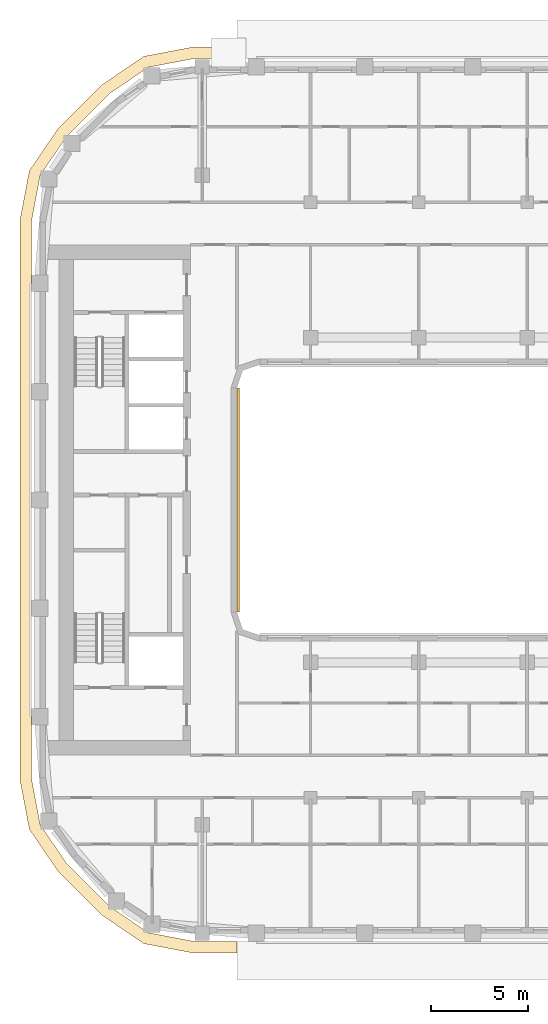
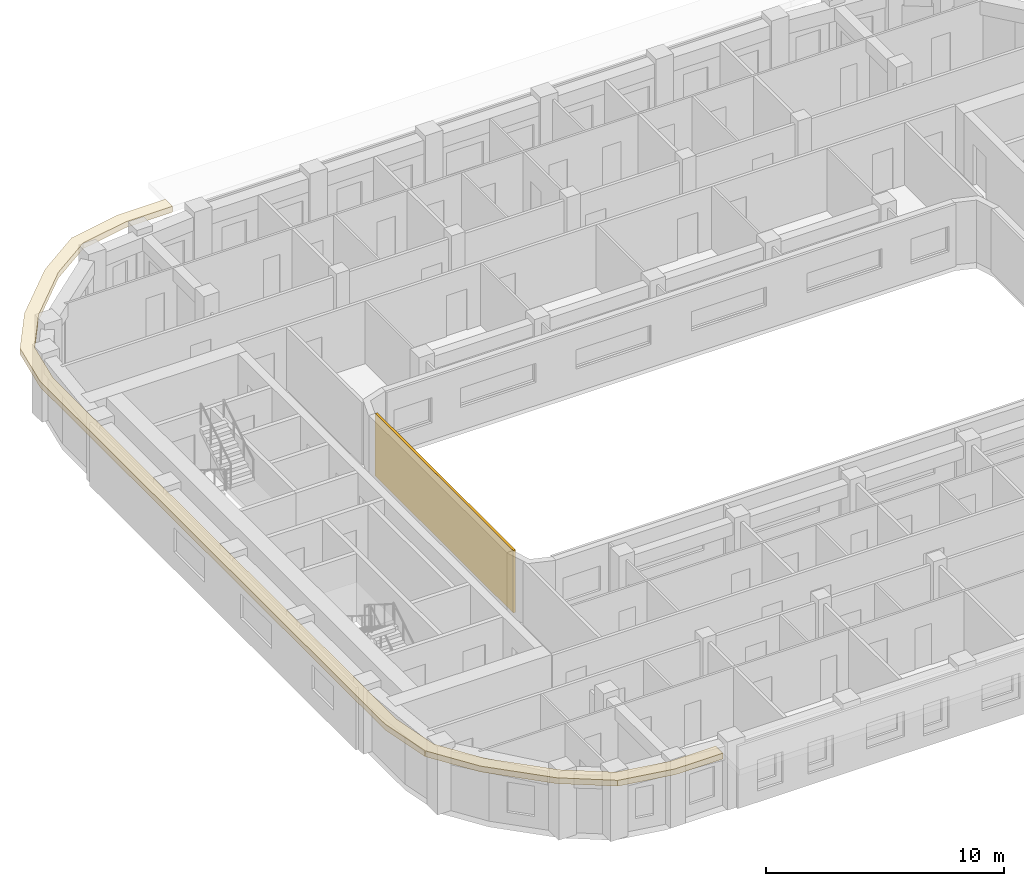
# One storey, part 13 of 21: 2 coverings.
"""IFC4 building model written with IfcOpenShell, lengths in metres."""

from ifc_helpers import new_model, si_unit, direction, frame, origin, place, context, subcontext, project, spatial, polyline, outline, extrude, material, layer, layer_set, type_object, element, save


model = new_model("IFC4")

# Units and contexts
model_context = context("Model", 3, precision=1e-05, world=origin(), true_north=direction((0.0, 1.0)))
body_context = subcontext(model_context, "Body", "Model", "MODEL_VIEW")
ifc_project = project(units=[si_unit("LENGTHUNIT", "METRE"), si_unit("AREAUNIT", "SQUARE_METRE"), si_unit("VOLUMEUNIT", "CUBIC_METRE"), si_unit("PLANEANGLEUNIT", "RADIAN"), si_unit("MASSUNIT", "GRAM", prefix="KILO")], contexts=[model_context])

# Site, building, storey
site_placement = place(None, origin())
site = spatial("IfcSite", under=ifc_project, at=site_placement, CompositionType="ELEMENT")
building_placement = place(site_placement, origin())
building = spatial("IfcBuilding", under=site, at=building_placement, Name="Kiln Ring Residences", CompositionType="ELEMENT")
storey_placement = place(building_placement, frame((0.0, 0.0, 223.89990234375)))
storey = spatial("IfcBuildingStorey", under=building, at=storey_placement, Name="L58", CompositionType="ELEMENT", Elevation=223.89990234375)

# Coverings
ifc_material_1 = material(Name="Brick masonry, dark clay brick", Category="masonry")
ifc_layer_1 = layer(ifc_material_1, 0.1201171875)
ifc_layer_set_1 = layer_set([ifc_layer_1], Name="RAINSCREEN PANEL 120")
covering_type_1 = type_object("IfcCoveringType", Name="RAINSCREEN PANEL 120", PredefinedType="CLADDING", material=ifc_layer_set_1)
covering_1_placement = place(storey_placement, frame((-14.93994140625, -5.800048828125, 0.0), z_axis=(0.0, 0.0, 1.0), x_axis=(0.0, 1.0, 0.0)))
element("IfcCovering", 1, at=covering_1_placement, inside=storey, type_object=covering_type_1, Name="RAINSCREEN L58", PredefinedType="CLADDING", context=body_context, shape_type="SweptSolid", body=[
    extrude(outline(polyline([(0.0, 0.0), (11.60009765625, 0.0), (11.60009765625, 3.2001953125), (0.0, 3.2001953125), (0.0, 0.0)])), frame((0.0, 0.06005859375, 0.0), z_axis=(0.0, -1.0, 0.0), x_axis=(1.0, 0.0, 0.0)), (0.0, 0.0, 1.0), 0.1201171875),
])
ifc_material_2 = material(Name="Black powder-coated steel", Category="steel")
ifc_layer_2 = layer(ifc_material_2, 0.300048828125)
ifc_layer_set_2 = layer_set([ifc_layer_2], Name="SUNSHADE FIN 600")
covering_type_2 = type_object("IfcCoveringType", Name="SUNSHADE FIN 600", PredefinedType="CLADDING", material=ifc_layer_set_2)
covering_2_placement = place(storey_placement, frame((0.0, 0.0, 3.2001953125)))
element("IfcCovering", 2, at=covering_2_placement, inside=storey, type_object=covering_type_2, Name="SUNSHADE FIN L58", PredefinedType="CLADDING", context=body_context, shape_type="SweptSolid", body=[
    extrude(outline(polyline([(-26.22509765625, -14.496826171875), (-25.742919921875, -17.02490234375), (-24.296142578125, -19.1533203125), (-21.953369140625, -21.49609375), (-19.82470703125, -22.94287109375), (-17.296875, -23.425048828125), (-15.0, -23.425048828125), (-15.0, -22.824951171875), (-17.240234375, -22.824951171875), (-19.59033203125, -22.376708984375), (-21.569091796875, -21.031982421875), (-23.831787109375, -18.769287109375), (-25.1767578125, -16.790283203125), (-25.625, -14.440185546875), (-25.625, 14.440185546875), (-25.1767578125, 16.790283203125), (-23.831787109375, 18.769287109375), (-21.569091796875, 21.031982421875), (-19.59033203125, 22.376708984375), (-17.240234375, 22.824951171875), (-15.0, 22.824951171875), (-15.0, 23.425048828125), (-17.296875, 23.425048828125), (-19.82470703125, 22.94287109375), (-21.953369140625, 21.49609375), (-24.296142578125, 19.1533203125), (-25.742919921875, 17.02490234375), (-26.22509765625, 14.496826171875), (-26.22509765625, -14.496826171875)])), origin(), (0.0, 0.0, 1.0), 0.2998046875),
])

save(model, "model.ifc")
